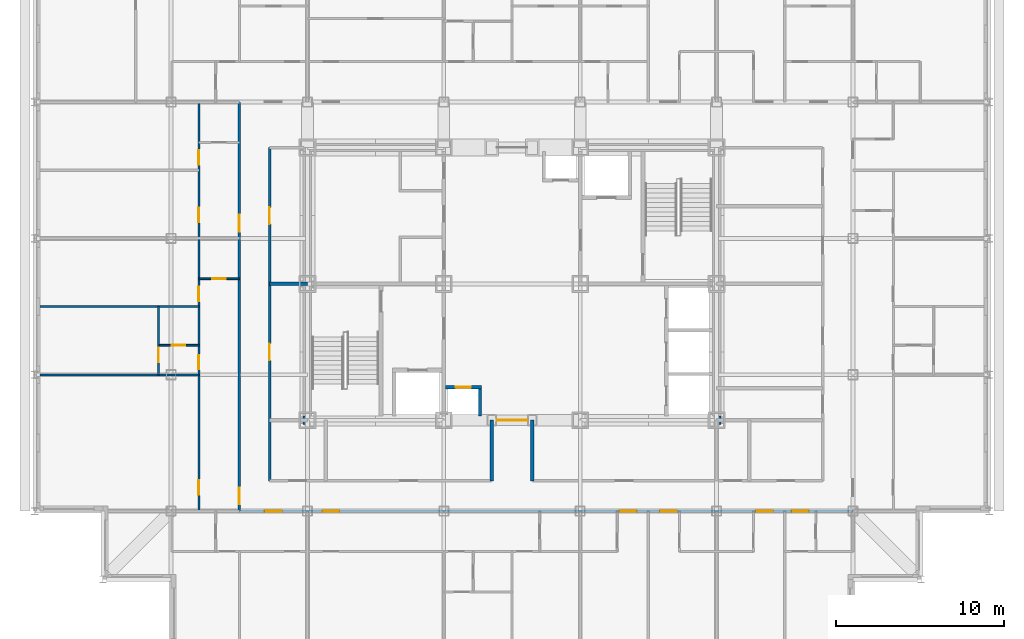
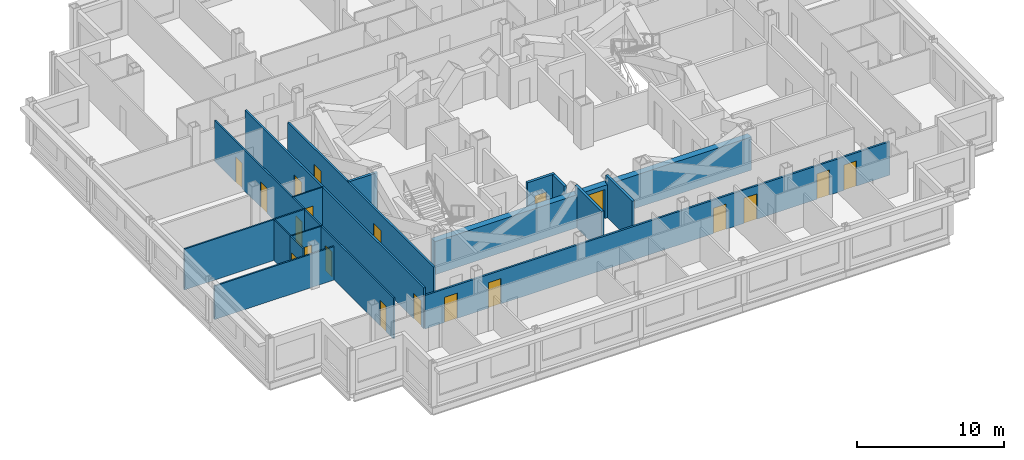
# One storey, part 5 of 12: 20 doors, 16 walls, 20 openings.
"""IFC4 building model written with IfcOpenShell, lengths in metres."""

from ifc_helpers import new_model, si_unit, direction, frame, frame_2d, origin, place, context, subcontext, project, spatial, rectangle, extrude, material, layer, layer_set, type_object, element, fill, save


model = new_model("IFC4")

# Units and contexts
model_context = context("Model", 3, precision=1e-05, world=origin(), true_north=direction((0.0, 1.0)))
body_context = subcontext(model_context, "Body", "Model", "MODEL_VIEW")
ifc_project = project(units=[si_unit("LENGTHUNIT", "METRE"), si_unit("AREAUNIT", "SQUARE_METRE"), si_unit("VOLUMEUNIT", "CUBIC_METRE"), si_unit("PLANEANGLEUNIT", "RADIAN"), si_unit("MASSUNIT", "GRAM", prefix="KILO")], contexts=[model_context])

# Site, building, storey
site_placement = place(None, origin())
site = spatial("IfcSite", under=ifc_project, at=site_placement, CompositionType="ELEMENT")
building_placement = place(site_placement, origin())
building = spatial("IfcBuilding", under=site, at=building_placement, Name="Kopane Lantern Tower", CompositionType="ELEMENT")
storey_placement = place(building_placement, frame((0.0, 0.0, 213.60009765625)))
storey = spatial("IfcBuildingStorey", under=building, at=storey_placement, Name="L55", CompositionType="ELEMENT", Elevation=213.60009765625)

# Wall, openings, doors
ifc_material_1 = material(Name="Gypsum board on steel studs", Category="steel")
ifc_layer_1 = layer(ifc_material_1, 0.1201171875)
ifc_layer_set_1 = layer_set([ifc_layer_1], Name="APARTMENT INTERNAL WALL 120")
wall_type_1 = type_object("IfcWallType", Name="APARTMENT INTERNAL WALL 120", PredefinedType="PARTITIONING", material=ifc_layer_set_1)
wall_1_placement = place(storey_placement, frame((9.75, 18.89990234375, 0.0), z_axis=(0.0, 0.0, 1.0), x_axis=(0.0, 1.0, 0.0)))
wall_1 = element("IfcWall", 1, at=wall_1_placement, inside=storey, type_object=wall_type_1, Name="Apartment Internal Wall 120 L55", PredefinedType="PARTITIONING", context=body_context, shape_type="SweptSolid", body=[
    extrude(rectangle(XDim=24.300048828125, YDim=0.1201171875, at=frame_2d((12.14990234375, 0.0))), origin(), (0.0, 0.0, 1.0), 3.389892578125),
])
opening_1_placement = place(wall_1_placement, frame((0.97509765625, 0.0, 0.0)))
opening_1 = element("IfcOpeningElement", 2, at=opening_1_placement, cuts=wall_1, Name="Opening L55-037", PredefinedType="OPENING", context=body_context, shape_type="SweptSolid", body=[
    extrude(rectangle(XDim=0.85009765625, YDim=2.10009765625, at=frame_2d((0.425048828125, 1.050048828125))), frame((0.0, 0.070068359375, 0.0), z_axis=(0.0, -1.0, 0.0), x_axis=(1.0, 0.0, 0.0)), (0.0, 0.0, 1.0), 0.14013671875),
])
opening_2_placement = place(wall_1_placement, frame((8.425048828125, 0.0, 0.0)))
opening_2 = element("IfcOpeningElement", 3, at=opening_2_placement, cuts=wall_1, Name="Opening L55-039", PredefinedType="OPENING", context=body_context, shape_type="SweptSolid", body=[
    extrude(rectangle(XDim=0.85009765625, YDim=2.10009765625, at=frame_2d((0.425048828125, 1.050048828125))), frame((0.0, 0.070068359375, 0.0), z_axis=(0.0, -1.0, 0.0), x_axis=(1.0, 0.0, 0.0)), (0.0, 0.0, 1.0), 0.14013671875),
])
opening_3_placement = place(wall_1_placement, frame((12.47509765625, 0.0, 0.0)))
opening_3 = element("IfcOpeningElement", 4, at=opening_3_placement, cuts=wall_1, Name="Opening L55-040", PredefinedType="OPENING", context=body_context, shape_type="SweptSolid", body=[
    extrude(rectangle(XDim=0.85009765625, YDim=2.10009765625, at=frame_2d((0.425048828125, 1.050048828125))), frame((0.0, 0.070068359375, 0.0), z_axis=(0.0, -1.0, 0.0), x_axis=(1.0, 0.0, 0.0)), (0.0, 0.0, 1.0), 0.14013671875),
])
opening_4_placement = place(wall_1_placement, frame((17.175048828125, 0.0, 0.0)))
opening_4 = element("IfcOpeningElement", 5, at=opening_4_placement, cuts=wall_1, Name="Opening L55-043", PredefinedType="OPENING", context=body_context, shape_type="SweptSolid", body=[
    extrude(rectangle(XDim=0.85009765625, YDim=2.10009765625, at=frame_2d((0.425048828125, 1.050048828125))), frame((0.0, 0.070068359375, 0.0), z_axis=(0.0, -1.0, 0.0), x_axis=(1.0, 0.0, 0.0)), (0.0, 0.0, 1.0), 0.14013671875),
])
opening_5_placement = place(wall_1_placement, frame((20.574951171875, 0.0, 0.0)))
opening_5 = element("IfcOpeningElement", 6, at=opening_5_placement, cuts=wall_1, Name="Opening L55-044", PredefinedType="OPENING", context=body_context, shape_type="SweptSolid", body=[
    extrude(rectangle(XDim=0.85009765625, YDim=2.10009765625, at=frame_2d((0.425048828125, 1.050048828125))), frame((0.0, 0.070068359375, 0.0), z_axis=(0.0, -1.0, 0.0), x_axis=(1.0, 0.0, 0.0)), (0.0, 0.0, 1.0), 0.14013671875),
])
ifc_material_2 = material(Name="Timber door set", Category="wood")
door_type_1 = type_object("IfcDoorType", Name="DOOR D4 850x2100", OperationType="SINGLE_SWING_LEFT", PredefinedType="DOOR", material=ifc_material_2)
door_1_placement = place(opening_1_placement, origin())
door_1 = element("IfcDoor", 7, at=door_1_placement, inside=storey, type_object=door_type_1, Name="Door L55-037", OperationType="SINGLE_SWING_RIGHT", OverallHeight=2.10009765625, OverallWidth=0.85009765625, PredefinedType="DOOR", context=body_context, shape_type="SweptSolid", body=[
    extrude(rectangle(XDim=0.85009765625, YDim=2.10009765625, at=frame_2d((0.425048828125, 1.050048828125))), frame((0.0, 0.02490234375, 0.0), z_axis=(0.0, -1.0, 0.0), x_axis=(1.0, 0.0, 0.0)), (0.0, 0.0, 1.0), 0.050048828125),
])
fill(opening_1, door_1)
door_2_placement = place(opening_2_placement, origin())
door_2 = element("IfcDoor", 8, at=door_2_placement, inside=storey, type_object=door_type_1, Name="Door L55-039", OperationType="SINGLE_SWING_LEFT", OverallHeight=2.10009765625, OverallWidth=0.85009765625, PredefinedType="DOOR", context=body_context, shape_type="SweptSolid", body=[
    extrude(rectangle(XDim=0.85009765625, YDim=2.10009765625, at=frame_2d((0.425048828125, 1.050048828125))), frame((0.0, 0.02490234375, 0.0), z_axis=(0.0, -1.0, 0.0), x_axis=(1.0, 0.0, 0.0)), (0.0, 0.0, 1.0), 0.050048828125),
])
fill(opening_2, door_2)
door_3_placement = place(opening_3_placement, origin())
door_3 = element("IfcDoor", 9, at=door_3_placement, inside=storey, type_object=door_type_1, Name="Door L55-040", OperationType="SINGLE_SWING_LEFT", OverallHeight=2.10009765625, OverallWidth=0.85009765625, PredefinedType="DOOR", context=body_context, shape_type="SweptSolid", body=[
    extrude(rectangle(XDim=0.85009765625, YDim=2.10009765625, at=frame_2d((0.425048828125, 1.050048828125))), frame((0.0, 0.02490234375, 0.0), z_axis=(0.0, -1.0, 0.0), x_axis=(1.0, 0.0, 0.0)), (0.0, 0.0, 1.0), 0.050048828125),
])
fill(opening_3, door_3)
door_4_placement = place(opening_4_placement, origin())
door_4 = element("IfcDoor", 10, at=door_4_placement, inside=storey, type_object=door_type_1, Name="Door L55-043", OperationType="SINGLE_SWING_RIGHT", OverallHeight=2.10009765625, OverallWidth=0.85009765625, PredefinedType="DOOR", context=body_context, shape_type="SweptSolid", body=[
    extrude(rectangle(XDim=0.85009765625, YDim=2.10009765625, at=frame_2d((0.425048828125, 1.050048828125))), frame((0.0, 0.02490234375, 0.0), z_axis=(0.0, -1.0, 0.0), x_axis=(1.0, 0.0, 0.0)), (0.0, 0.0, 1.0), 0.050048828125),
])
fill(opening_4, door_4)
door_5_placement = place(opening_5_placement, origin())
door_5 = element("IfcDoor", 11, at=door_5_placement, inside=storey, type_object=door_type_1, Name="Door L55-044", OperationType="SINGLE_SWING_LEFT", OverallHeight=2.10009765625, OverallWidth=0.85009765625, PredefinedType="DOOR", context=body_context, shape_type="SweptSolid", body=[
    extrude(rectangle(XDim=0.85009765625, YDim=2.10009765625, at=frame_2d((0.425048828125, 1.050048828125))), frame((0.0, 0.02490234375, 0.0), z_axis=(0.0, -1.0, 0.0), x_axis=(1.0, 0.0, 0.0)), (0.0, 0.0, 1.0), 0.050048828125),
])
fill(opening_5, door_5)

# Walls
wall_2_placement = place(storey_placement, frame((9.75, 27.0, 0.0), z_axis=(0.0, 0.0, 1.0), x_axis=(-1.0, 0.0, 0.0)))
element("IfcWall", 12, at=wall_2_placement, inside=storey, type_object=wall_type_1, Name="Apartment Internal Wall 120 L55", PredefinedType="PARTITIONING", context=body_context, shape_type="SweptSolid", body=[
    extrude(rectangle(XDim=9.449951171875, YDim=0.1201171875, at=frame_2d((4.72509765625, 0.0))), origin(), (0.0, 0.0, 1.0), 2.777587890625),
])
wall_3_placement = place(storey_placement, frame((9.75, 31.050048828125, 0.0), z_axis=(0.0, 0.0, 1.0), x_axis=(-1.0, 0.0, 0.0)))
element("IfcWall", 13, at=wall_3_placement, inside=storey, type_object=wall_type_1, Name="Apartment Internal Wall 120 L55", PredefinedType="PARTITIONING", context=body_context, shape_type="SweptSolid", body=[
    extrude(rectangle(XDim=9.449951171875, YDim=0.1201171875, at=frame_2d((4.72509765625, 0.0))), origin(), (0.0, 0.0, 1.0), 3.389892578125),
])

# Wall, opening, door
wall_4_placement = place(storey_placement, frame((7.35009765625, 27.0, 0.0), z_axis=(0.0, 0.0, 1.0), x_axis=(0.0, 1.0, 0.0)))
wall_4 = element("IfcWall", 14, at=wall_4_placement, inside=storey, type_object=wall_type_1, Name="Apartment Internal Wall 120 L55", PredefinedType="PARTITIONING", context=body_context, shape_type="SweptSolid", body=[
    extrude(rectangle(XDim=1.760009765625, YDim=0.1201171875, at=frame_2d((0.8798828125, 0.0))), origin(), (0.0, 0.0, 1.0), 3.389892578125),
])
opening_6_placement = place(wall_4_placement, frame((0.75, 0.0, 0.0)))
opening_6 = element("IfcOpeningElement", 15, at=opening_6_placement, cuts=wall_4, Name="Opening L55-071", PredefinedType="OPENING", context=body_context, shape_type="SweptSolid", body=[
    extrude(rectangle(XDim=0.85009765625, YDim=2.10009765625, at=frame_2d((0.425048828125, 1.050048828125))), frame((0.0, 0.070068359375, 0.0), z_axis=(0.0, -1.0, 0.0), x_axis=(1.0, 0.0, 0.0)), (0.0, 0.0, 1.0), 0.14013671875),
])
door_6_placement = place(opening_6_placement, origin())
door_6 = element("IfcDoor", 16, at=door_6_placement, inside=storey, type_object=door_type_1, Name="Door L55-071", OperationType="SINGLE_SWING_LEFT", OverallHeight=2.10009765625, OverallWidth=0.85009765625, PredefinedType="DOOR", context=body_context, shape_type="SweptSolid", body=[
    extrude(rectangle(XDim=0.85009765625, YDim=2.10009765625, at=frame_2d((0.425048828125, 1.050048828125))), frame((0.0, 0.02490234375, 0.0), z_axis=(0.0, -1.0, 0.0), x_axis=(1.0, 0.0, 0.0)), (0.0, 0.0, 1.0), 0.050048828125),
])
fill(opening_6, door_6)

ifc_material_3 = material(Name="Moisture-resistant board on steel studs", Category="steel")
ifc_layer_2 = layer(ifc_material_3, 0.10009765625)
ifc_layer_set_2 = layer_set([ifc_layer_2], Name="BATHROOM WALL 100")
wall_type_2 = type_object("IfcWallType", Name="BATHROOM WALL 100", PredefinedType="PARTITIONING", material=ifc_layer_set_2)
wall_5_placement = place(storey_placement, frame((12.14990234375, 32.699951171875, 0.0), z_axis=(0.0, 0.0, 1.0), x_axis=(-1.0, 0.0, 0.0)))
wall_5 = element("IfcWall", 17, at=wall_5_placement, inside=storey, type_object=wall_type_2, Name="Bathroom Wall 100 L55", PredefinedType="PARTITIONING", context=body_context, shape_type="SweptSolid", body=[
    extrude(rectangle(XDim=2.39990234375, YDim=0.10009765625, at=frame_2d((1.199951171875, 0.0))), origin(), (0.0, 0.0, 1.0), 3.389892578125),
])
opening_7_placement = place(wall_5_placement, frame((0.800048828125, 0.0, 0.0)))
opening_7 = element("IfcOpeningElement", 18, at=opening_7_placement, cuts=wall_5, Name="Opening L55-035", PredefinedType="OPENING", context=body_context, shape_type="SweptSolid", body=[
    extrude(rectangle(XDim=0.800048828125, YDim=2.10009765625, at=frame_2d((0.39990234375, 1.050048828125))), frame((0.0, 0.06005859375, 0.0), z_axis=(0.0, -1.0, 0.0), x_axis=(1.0, 0.0, 0.0)), (0.0, 0.0, 1.0), 0.1201171875),
])
ifc_material_4 = material(Name="Timber door set", Category="wood")
door_type_2 = type_object("IfcDoorType", Name="DOOR D2 800x2100", OperationType="SINGLE_SWING_LEFT", PredefinedType="DOOR", material=ifc_material_4)
door_7_placement = place(opening_7_placement, origin())
door_7 = element("IfcDoor", 19, at=door_7_placement, inside=storey, type_object=door_type_2, Name="Door L55-035", OperationType="SINGLE_SWING_RIGHT", OverallHeight=2.10009765625, OverallWidth=0.800048828125, PredefinedType="DOOR", context=body_context, shape_type="SweptSolid", body=[
    extrude(rectangle(XDim=0.800048828125, YDim=2.10009765625, at=frame_2d((0.39990234375, 1.050048828125))), frame((0.0, 0.02490234375, 0.0), z_axis=(0.0, -1.0, 0.0), x_axis=(1.0, 0.0, 0.0)), (0.0, 0.0, 1.0), 0.050048828125),
])
fill(opening_7, door_7)

wall_6_placement = place(storey_placement, frame((9.75, 28.75, 0.0), z_axis=(0.0, 0.0, 1.0), x_axis=(-1.0, 0.0, 0.0)))
wall_6 = element("IfcWall", 20, at=wall_6_placement, inside=storey, type_object=wall_type_2, Name="Bathroom Wall 100 L55", PredefinedType="PARTITIONING", context=body_context, shape_type="SweptSolid", body=[
    extrude(rectangle(XDim=2.39990234375, YDim=0.10009765625, at=frame_2d((1.199951171875, 0.0))), origin(), (0.0, 0.0, 1.0), 3.389892578125),
])
opening_8_placement = place(wall_6_placement, frame((0.800048828125, 0.0, 0.0)))
opening_8 = element("IfcOpeningElement", 21, at=opening_8_placement, cuts=wall_6, Name="Opening L55-038", PredefinedType="OPENING", context=body_context, shape_type="SweptSolid", body=[
    extrude(rectangle(XDim=0.800048828125, YDim=2.10009765625, at=frame_2d((0.39990234375, 1.050048828125))), frame((0.0, 0.06005859375, 0.0), z_axis=(0.0, -1.0, 0.0), x_axis=(1.0, 0.0, 0.0)), (0.0, 0.0, 1.0), 0.1201171875),
])
door_8_placement = place(opening_8_placement, origin())
door_8 = element("IfcDoor", 22, at=door_8_placement, inside=storey, type_object=door_type_2, Name="Door L55-038", OperationType="SINGLE_SWING_RIGHT", OverallHeight=2.10009765625, OverallWidth=0.800048828125, PredefinedType="DOOR", context=body_context, shape_type="SweptSolid", body=[
    extrude(rectangle(XDim=0.800048828125, YDim=2.10009765625, at=frame_2d((0.39990234375, 1.050048828125))), frame((0.0, 0.02490234375, 0.0), z_axis=(0.0, -1.0, 0.0), x_axis=(1.0, 0.0, 0.0)), (0.0, 0.0, 1.0), 0.050048828125),
])
fill(opening_8, door_8)

# Wall
wall_7_placement = place(storey_placement, frame((7.35009765625, 28.75, 0.0), z_axis=(0.0, 0.0, 1.0), x_axis=(0.0, 1.0, 0.0)))
element("IfcWall", 23, at=wall_7_placement, inside=storey, type_object=wall_type_2, Name="Bathroom Wall 100 L55", PredefinedType="PARTITIONING", context=body_context, shape_type="SweptSolid", body=[
    extrude(rectangle(XDim=2.300048828125, YDim=0.10009765625, at=frame_2d((1.14990234375, 0.0))), origin(), (0.0, 0.0, 1.0), 3.389892578125),
])

# Wall, opening, door
ifc_material_5 = material(Name="Gypsum shaft wall EI 120", Category="gypsum")
ifc_layer_3 = layer(ifc_material_5, 0.5)
ifc_layer_set_3 = layer_set([ifc_layer_3], Name="CORE PERIMETER WALL 500 EI 120")
wall_type_3 = type_object("IfcWallType", Name="CORE PERIMETER WALL 500 EI 120", PredefinedType="SOLIDWALL", material=ifc_layer_set_3)
wall_8_placement = place(storey_placement, frame((15.949951171875, 24.300048828125, 0.0), z_axis=(0.0, 0.0, 1.0), x_axis=(1.0, 0.0, 0.0)))
wall_8 = element("IfcWall", 24, at=wall_8_placement, inside=storey, type_object=wall_type_3, Name="Core shaft wall L55 PS", PredefinedType="SOLIDWALL", context=body_context, shape_type="SweptSolid", body=[
    extrude(rectangle(XDim=24.800048828125, YDim=0.5, at=frame_2d((12.39990234375, 0.0))), origin(), (0.0, 0.0, 1.0), 2.739990234375),
])
opening_9_placement = place(wall_8_placement, frame((11.5, 0.0, 0.0)))
opening_9 = element("IfcOpeningElement", 25, at=opening_9_placement, cuts=wall_8, Name="Opening 55.CE-S", PredefinedType="OPENING", context=body_context, shape_type="SweptSolid", body=[
    extrude(rectangle(XDim=1.800048828125, YDim=2.39990234375, at=frame_2d((0.89990234375, 1.199951171875))), frame((0.0, 0.260009765625, 0.0), z_axis=(0.0, -1.0, 0.0), x_axis=(1.0, 0.0, 0.0)), (0.0, 0.0, 1.0), 0.52001953125),
])
ifc_material_6 = material(Name="Steel door set", Category="steel")
door_type_3 = type_object("IfcDoorType", Name="CORE ENTRY DOOR 1800x2400 FD60S", OperationType="DOUBLE_DOOR_SINGLE_SWING", PredefinedType="DOOR", material=ifc_material_6)
door_9_placement = place(opening_9_placement, origin())
door_9 = element("IfcDoor", 26, at=door_9_placement, inside=storey, type_object=door_type_3, Name="Core entry door L55 south", OperationType="DOUBLE_DOOR_SINGLE_SWING", OverallHeight=2.39990234375, OverallWidth=1.800048828125, PredefinedType="DOOR", context=body_context, shape_type="SweptSolid", body=[
    extrude(rectangle(XDim=1.800048828125, YDim=2.39990234375, at=frame_2d((0.89990234375, 1.199951171875))), frame((0.0, 0.02490234375, 0.0), z_axis=(0.0, -1.0, 0.0), x_axis=(1.0, 0.0, 0.0)), (0.0, 0.0, 1.0), 0.050048828125),
])
fill(opening_9, door_9)

# Wall, openings, doors
ifc_material_7 = material(Name="Gypsum board on steel studs", Category="steel")
ifc_layer_4 = layer(ifc_material_7, 0.14990234375)
ifc_layer_set_4 = layer_set([ifc_layer_4], Name="CORRIDOR WALL 150 EI 60")
wall_type_4 = type_object("IfcWallType", Name="CORRIDOR WALL 150 EI 60", PredefinedType="PARTITIONING", material=ifc_layer_set_4)
wall_9_placement = place(storey_placement, frame((12.14990234375, 18.89990234375, 0.0), z_axis=(0.0, 0.0, 1.0), x_axis=(1.0, 0.0, 0.0)))
wall_9 = element("IfcWall", 27, at=wall_9_placement, inside=storey, type_object=wall_type_4, Name="Corridor Wall 150 Ei 60 L55", PredefinedType="PARTITIONING", context=body_context, shape_type="SweptSolid", body=[
    extrude(rectangle(XDim=36.4501953125, YDim=0.14990234375, at=frame_2d((18.22509765625, 0.0))), origin(), (0.0, 0.0, 1.0), 2.777587890625),
])
opening_10_placement = place(wall_9_placement, frame((4.949951171875, 0.0, 0.0)))
opening_10 = element("IfcOpeningElement", 28, at=opening_10_placement, cuts=wall_9, Name="Opening L55-013", PredefinedType="OPENING", context=body_context, shape_type="SweptSolid", body=[
    extrude(rectangle(XDim=1.0, YDim=2.10009765625, at=frame_2d((0.5, 1.050048828125))), frame((0.0, 0.0849609375, 0.0), z_axis=(0.0, -1.0, 0.0), x_axis=(1.0, 0.0, 0.0)), (0.0, 0.0, 1.0), 0.169921875),
])
opening_11_placement = place(wall_9_placement, frame((22.60009765625, 0.0, 0.0)))
opening_11 = element("IfcOpeningElement", 29, at=opening_11_placement, cuts=wall_9, Name="Opening L55-019", PredefinedType="OPENING", context=body_context, shape_type="SweptSolid", body=[
    extrude(rectangle(XDim=1.0, YDim=2.10009765625, at=frame_2d((0.5, 1.050048828125))), frame((0.0, 0.0849609375, 0.0), z_axis=(0.0, -1.0, 0.0), x_axis=(1.0, 0.0, 0.0)), (0.0, 0.0, 1.0), 0.169921875),
])
opening_12_placement = place(wall_9_placement, frame((25.0, 0.0, 0.0)))
opening_12 = element("IfcOpeningElement", 30, at=opening_12_placement, cuts=wall_9, Name="Opening L55-021", PredefinedType="OPENING", context=body_context, shape_type="SweptSolid", body=[
    extrude(rectangle(XDim=1.0, YDim=2.10009765625, at=frame_2d((0.5, 1.050048828125))), frame((0.0, 0.0849609375, 0.0), z_axis=(0.0, -1.0, 0.0), x_axis=(1.0, 0.0, 0.0)), (0.0, 0.0, 1.0), 0.169921875),
])
opening_13_placement = place(wall_9_placement, frame((30.699951171875, 0.0, 0.0)))
opening_13 = element("IfcOpeningElement", 31, at=opening_13_placement, cuts=wall_9, Name="Opening L55-023", PredefinedType="OPENING", context=body_context, shape_type="SweptSolid", body=[
    extrude(rectangle(XDim=1.0, YDim=2.10009765625, at=frame_2d((0.5, 1.050048828125))), frame((0.0, 0.0849609375, 0.0), z_axis=(0.0, -1.0, 0.0), x_axis=(1.0, 0.0, 0.0)), (0.0, 0.0, 1.0), 0.169921875),
])
opening_14_placement = place(wall_9_placement, frame((1.52490234375, 0.0, 0.0)))
opening_14 = element("IfcOpeningElement", 32, at=opening_14_placement, cuts=wall_9, Name="Opening L55-054", PredefinedType="OPENING", context=body_context, shape_type="SweptSolid", body=[
    extrude(rectangle(XDim=1.0, YDim=2.10009765625, at=frame_2d((0.5, 1.050048828125))), frame((0.0, 0.0849609375, 0.0), z_axis=(0.0, -1.0, 0.0), x_axis=(1.0, 0.0, 0.0)), (0.0, 0.0, 1.0), 0.169921875),
])
opening_15_placement = place(wall_9_placement, frame((32.824951171875, 0.0, 0.0)))
opening_15 = element("IfcOpeningElement", 33, at=opening_15_placement, cuts=wall_9, Name="Opening L55-059", PredefinedType="OPENING", context=body_context, shape_type="SweptSolid", body=[
    extrude(rectangle(XDim=1.0, YDim=2.10009765625, at=frame_2d((0.5, 1.050048828125))), frame((0.0, 0.0849609375, 0.0), z_axis=(0.0, -1.0, 0.0), x_axis=(1.0, 0.0, 0.0)), (0.0, 0.0, 1.0), 0.169921875),
])
ifc_material_8 = material(Name="Steel door set", Category="steel")
door_type_4 = type_object("IfcDoorType", Name="DOOR D3 1000x2100 FD30S", OperationType="SINGLE_SWING_LEFT", PredefinedType="DOOR", material=ifc_material_8)
door_10_placement = place(opening_10_placement, origin())
door_10 = element("IfcDoor", 34, at=door_10_placement, inside=storey, type_object=door_type_4, Name="Door L55-013", OperationType="SINGLE_SWING_RIGHT", OverallHeight=2.10009765625, OverallWidth=1.0, PredefinedType="DOOR", context=body_context, shape_type="SweptSolid", body=[
    extrude(rectangle(XDim=1.0, YDim=2.10009765625, at=frame_2d((0.5, 1.050048828125))), frame((0.0, 0.02490234375, 0.0), z_axis=(0.0, -1.0, 0.0), x_axis=(1.0, 0.0, 0.0)), (0.0, 0.0, 1.0), 0.050048828125),
])
fill(opening_10, door_10)
door_11_placement = place(opening_11_placement, origin())
door_11 = element("IfcDoor", 35, at=door_11_placement, inside=storey, type_object=door_type_4, Name="Door L55-019", OperationType="SINGLE_SWING_RIGHT", OverallHeight=2.10009765625, OverallWidth=1.0, PredefinedType="DOOR", context=body_context, shape_type="SweptSolid", body=[
    extrude(rectangle(XDim=1.0, YDim=2.10009765625, at=frame_2d((0.5, 1.050048828125))), frame((0.0, 0.02490234375, 0.0), z_axis=(0.0, -1.0, 0.0), x_axis=(1.0, 0.0, 0.0)), (0.0, 0.0, 1.0), 0.050048828125),
])
fill(opening_11, door_11)
door_12_placement = place(opening_12_placement, origin())
door_12 = element("IfcDoor", 36, at=door_12_placement, inside=storey, type_object=door_type_4, Name="Door L55-021", OperationType="SINGLE_SWING_LEFT", OverallHeight=2.10009765625, OverallWidth=1.0, PredefinedType="DOOR", context=body_context, shape_type="SweptSolid", body=[
    extrude(rectangle(XDim=1.0, YDim=2.10009765625, at=frame_2d((0.5, 1.050048828125))), frame((0.0, 0.02490234375, 0.0), z_axis=(0.0, -1.0, 0.0), x_axis=(1.0, 0.0, 0.0)), (0.0, 0.0, 1.0), 0.050048828125),
])
fill(opening_12, door_12)
door_13_placement = place(opening_13_placement, origin())
door_13 = element("IfcDoor", 37, at=door_13_placement, inside=storey, type_object=door_type_4, Name="Door L55-023", OperationType="SINGLE_SWING_RIGHT", OverallHeight=2.10009765625, OverallWidth=1.0, PredefinedType="DOOR", context=body_context, shape_type="SweptSolid", body=[
    extrude(rectangle(XDim=1.0, YDim=2.10009765625, at=frame_2d((0.5, 1.050048828125))), frame((0.0, 0.02490234375, 0.0), z_axis=(0.0, -1.0, 0.0), x_axis=(1.0, 0.0, 0.0)), (0.0, 0.0, 1.0), 0.050048828125),
])
fill(opening_13, door_13)
door_14_placement = place(opening_14_placement, origin())
door_14 = element("IfcDoor", 38, at=door_14_placement, inside=storey, type_object=door_type_4, Name="Door L55-054", OperationType="SINGLE_SWING_LEFT", OverallHeight=2.10009765625, OverallWidth=1.0, PredefinedType="DOOR", context=body_context, shape_type="SweptSolid", body=[
    extrude(rectangle(XDim=1.0, YDim=2.10009765625, at=frame_2d((0.5, 1.050048828125))), frame((0.0, 0.02490234375, 0.0), z_axis=(0.0, -1.0, 0.0), x_axis=(1.0, 0.0, 0.0)), (0.0, 0.0, 1.0), 0.050048828125),
])
fill(opening_14, door_14)
door_15_placement = place(opening_15_placement, origin())
door_15 = element("IfcDoor", 39, at=door_15_placement, inside=storey, type_object=door_type_4, Name="Door L55-059", OperationType="SINGLE_SWING_LEFT", OverallHeight=2.10009765625, OverallWidth=1.0, PredefinedType="DOOR", context=body_context, shape_type="SweptSolid", body=[
    extrude(rectangle(XDim=1.0, YDim=2.10009765625, at=frame_2d((0.5, 1.050048828125))), frame((0.0, 0.02490234375, 0.0), z_axis=(0.0, -1.0, 0.0), x_axis=(1.0, 0.0, 0.0)), (0.0, 0.0, 1.0), 0.050048828125),
])
fill(opening_15, door_15)

wall_10_placement = place(storey_placement, frame((12.14990234375, 18.89990234375, 0.0), z_axis=(0.0, 0.0, 1.0), x_axis=(0.0, 1.0, 0.0)))
wall_10 = element("IfcWall", 40, at=wall_10_placement, inside=storey, type_object=wall_type_4, Name="Corridor Wall 150 Ei 60 L55", PredefinedType="PARTITIONING", context=body_context, shape_type="SweptSolid", body=[
    extrude(rectangle(XDim=24.300048828125, YDim=0.14990234375, at=frame_2d((12.14990234375, 0.0))), origin(), (0.0, 0.0, 1.0), 3.389892578125),
])
opening_16_placement = place(wall_10_placement, frame((0.39990234375, 0.0, 0.0)))
opening_16 = element("IfcOpeningElement", 41, at=opening_16_placement, cuts=wall_10, Name="Opening L55-036", PredefinedType="OPENING", context=body_context, shape_type="SweptSolid", body=[
    extrude(rectangle(XDim=1.0, YDim=2.10009765625, at=frame_2d((0.5, 1.050048828125))), frame((0.0, 0.0849609375, 0.0), z_axis=(0.0, -1.0, 0.0), x_axis=(1.0, 0.0, 0.0)), (0.0, 0.0, 1.0), 0.169921875),
])
opening_17_placement = place(wall_10_placement, frame((16.60009765625, 0.0, 0.0)))
opening_17 = element("IfcOpeningElement", 42, at=opening_17_placement, cuts=wall_10, Name="Opening L55-042", PredefinedType="OPENING", context=body_context, shape_type="SweptSolid", body=[
    extrude(rectangle(XDim=1.0, YDim=2.10009765625, at=frame_2d((0.5, 1.050048828125))), frame((0.0, 0.0849609375, 0.0), z_axis=(0.0, -1.0, 0.0), x_axis=(1.0, 0.0, 0.0)), (0.0, 0.0, 1.0), 0.169921875),
])
door_16_placement = place(opening_16_placement, origin())
door_16 = element("IfcDoor", 43, at=door_16_placement, inside=storey, type_object=door_type_4, Name="Door L55-036", OperationType="SINGLE_SWING_LEFT", OverallHeight=2.10009765625, OverallWidth=1.0, PredefinedType="DOOR", context=body_context, shape_type="SweptSolid", body=[
    extrude(rectangle(XDim=1.0, YDim=2.10009765625, at=frame_2d((0.5, 1.050048828125))), frame((0.0, 0.02490234375, 0.0), z_axis=(0.0, -1.0, 0.0), x_axis=(1.0, 0.0, 0.0)), (0.0, 0.0, 1.0), 0.050048828125),
])
fill(opening_16, door_16)
door_17_placement = place(opening_17_placement, origin())
door_17 = element("IfcDoor", 44, at=door_17_placement, inside=storey, type_object=door_type_4, Name="Door L55-042", OperationType="SINGLE_SWING_LEFT", OverallHeight=2.10009765625, OverallWidth=1.0, PredefinedType="DOOR", context=body_context, shape_type="SweptSolid", body=[
    extrude(rectangle(XDim=1.0, YDim=2.10009765625, at=frame_2d((0.5, 1.050048828125))), frame((0.0, 0.02490234375, 0.0), z_axis=(0.0, -1.0, 0.0), x_axis=(1.0, 0.0, 0.0)), (0.0, 0.0, 1.0), 0.050048828125),
])
fill(opening_17, door_17)

wall_11_placement = place(storey_placement, frame((13.949951171875, 40.5, 0.0), z_axis=(0.0, 0.0, 1.0), x_axis=(0.0, -1.0, 0.0)))
wall_11 = element("IfcWall", 45, at=wall_11_placement, inside=storey, type_object=wall_type_4, Name="Corridor Wall 150 Ei 60 L55", PredefinedType="PARTITIONING", context=body_context, shape_type="SweptSolid", body=[
    extrude(rectangle(XDim=19.800048828125, YDim=0.14990234375, at=frame_2d((9.89990234375, 0.0))), origin(), (0.0, 0.0, 1.0), 3.389892578125),
])
opening_18_placement = place(wall_11_placement, frame((11.64990234375, 0.0, 0.0)))
opening_18 = element("IfcOpeningElement", 46, at=opening_18_placement, cuts=wall_11, Name="Opening L55-001", PredefinedType="OPENING", context=body_context, shape_type="SweptSolid", body=[
    extrude(rectangle(XDim=1.0, YDim=2.10009765625, at=frame_2d((0.5, 1.050048828125))), frame((0.0, 0.0849609375, 0.0), z_axis=(0.0, -1.0, 0.0), x_axis=(1.0, 0.0, 0.0)), (0.0, 0.0, 1.0), 0.169921875),
])
opening_19_placement = place(wall_11_placement, frame((3.550048828125, 0.0, 0.0)))
opening_19 = element("IfcOpeningElement", 47, at=opening_19_placement, cuts=wall_11, Name="Opening L55-002", PredefinedType="OPENING", context=body_context, shape_type="SweptSolid", body=[
    extrude(rectangle(XDim=1.0, YDim=2.10009765625, at=frame_2d((0.5, 1.050048828125))), frame((0.0, 0.0849609375, 0.0), z_axis=(0.0, -1.0, 0.0), x_axis=(1.0, 0.0, 0.0)), (0.0, 0.0, 1.0), 0.169921875),
])
ifc_material_9 = material(Name="Steel door set", Category="steel")
door_type_5 = type_object("IfcDoorType", Name="DOOR D5 1000x2100 FD60", OperationType="SINGLE_SWING_LEFT", PredefinedType="DOOR", material=ifc_material_9)
door_18_placement = place(opening_18_placement, origin())
door_18 = element("IfcDoor", 48, at=door_18_placement, inside=storey, type_object=door_type_5, Name="Door L55-001", OperationType="SINGLE_SWING_RIGHT", OverallHeight=2.10009765625, OverallWidth=1.0, PredefinedType="DOOR", context=body_context, shape_type="SweptSolid", body=[
    extrude(rectangle(XDim=1.0, YDim=2.10009765625, at=frame_2d((0.5, 1.050048828125))), frame((0.0, 0.02490234375, 0.0), z_axis=(0.0, -1.0, 0.0), x_axis=(1.0, 0.0, 0.0)), (0.0, 0.0, 1.0), 0.050048828125),
])
fill(opening_18, door_18)
door_19_placement = place(opening_19_placement, origin())
door_19 = element("IfcDoor", 49, at=door_19_placement, inside=storey, type_object=door_type_5, Name="Door L55-002", OperationType="SINGLE_SWING_LEFT", OverallHeight=2.10009765625, OverallWidth=1.0, PredefinedType="DOOR", context=body_context, shape_type="SweptSolid", body=[
    extrude(rectangle(XDim=1.0, YDim=2.10009765625, at=frame_2d((0.5, 1.050048828125))), frame((0.0, 0.02490234375, 0.0), z_axis=(0.0, -1.0, 0.0), x_axis=(1.0, 0.0, 0.0)), (0.0, 0.0, 1.0), 0.050048828125),
])
fill(opening_19, door_19)

# Walls
ifc_material_10 = material(Name="Concrete masonry", Category="masonry")
ifc_layer_5 = layer(ifc_material_10, 0.199951171875)
ifc_layer_set_5 = layer_set([ifc_layer_5], Name="PLANT ROOM WALL 200 EI 120")
wall_type_5 = type_object("IfcWallType", Name="PLANT ROOM WALL 200 EI 120", PredefinedType="SOLIDWALL", material=ifc_layer_set_5)
wall_12_placement = place(storey_placement, frame((13.949951171875, 32.39990234375, 0.0), z_axis=(0.0, 0.0, 1.0), x_axis=(1.0, 0.0, 0.0)))
element("IfcWall", 50, at=wall_12_placement, inside=storey, type_object=wall_type_5, Name="Plant Room Wall 200 Ei 120 L55", PredefinedType="SOLIDWALL", context=body_context, shape_type="SweptSolid", body=[
    extrude(rectangle(XDim=2.25, YDim=0.199951171875, at=frame_2d((1.125, 0.0))), origin(), (0.0, 0.0, 1.0), 3.389892578125),
])
for number, where, z_axis, x_axis, name in (
    (51, (27.14990234375, 20.699951171875, 0.0), (0.0, 0.0, 1.0), (0.0, 1.0, 0.0), "Plant Room Wall 200 Ei 120 L55"),
    (52, (29.550048828125, 20.699951171875, 0.0), (0.0, 0.0, 1.0), (0.0, 1.0, 0.0), "Plant Room Wall 200 Ei 120 L55"),
):
    element("IfcWall", number, at=place(storey_placement, frame(where, z_axis=z_axis, x_axis=x_axis)), inside=storey, type_object=wall_type_5, Name=name, PredefinedType="SOLIDWALL", context=body_context, shape_type="SweptSolid", body=[
        extrude(rectangle(XDim=3.60009765625, YDim=0.199951171875, at=frame_2d((1.800048828125, 0.0))), origin(), (0.0, 0.0, 1.0), 3.389892578125),
    ])
ifc_material_11 = material(Name="Gypsum shaft wall EI 120", Category="gypsum")
ifc_layer_6 = layer(ifc_material_11, 0.199951171875)
ifc_layer_set_6 = layer_set([ifc_layer_6], Name="SHAFT WALL 200 EI 120")
wall_type_6 = type_object("IfcWallType", Name="SHAFT WALL 200 EI 120", PredefinedType="SOLIDWALL", material=ifc_layer_set_6)
wall_13_placement = place(storey_placement, frame((26.449951171875, 24.550048828125, 0.0), z_axis=(0.0, 0.0, 1.0), x_axis=(0.0, 1.0, 0.0)))
element("IfcWall", 53, at=wall_13_placement, inside=storey, type_object=wall_type_6, Name="Core shaft wall L55 XRS1", PredefinedType="SOLIDWALL", context=body_context, shape_type="SweptSolid", body=[
    extrude(rectangle(XDim=1.599853515625, YDim=0.199951171875, at=frame_2d((0.7998046875, 0.0))), origin(), (0.0, 0.0, 1.0), 3.389892578125),
])

# Wall, opening, door
wall_14_placement = place(storey_placement, frame((24.39990234375, 26.25, 0.0), z_axis=(0.0, 0.0, 1.0), x_axis=(1.0, 0.0, 0.0)))
wall_14 = element("IfcWall", 54, at=wall_14_placement, inside=storey, type_object=wall_type_6, Name="Core shaft wall L55 YRS1", PredefinedType="SOLIDWALL", context=body_context, shape_type="SweptSolid", body=[
    extrude(rectangle(XDim=2.150146484375, YDim=0.199951171875, at=frame_2d((1.0751953125, 0.0))), origin(), (0.0, 0.0, 1.0), 3.389892578125),
])
opening_20_placement = place(wall_14_placement, frame((0.60009765625, 0.0, 0.0)))
opening_20 = element("IfcOpeningElement", 55, at=opening_20_placement, cuts=wall_14, Name="Opening 55.RS1", PredefinedType="OPENING", context=body_context, shape_type="SweptSolid", body=[
    extrude(rectangle(XDim=0.89990234375, YDim=2.10009765625, at=frame_2d((0.449951171875, 1.050048828125))), frame((0.0, 0.10986328125, 0.0), z_axis=(0.0, -1.0, 0.0), x_axis=(1.0, 0.0, 0.0)), (0.0, 0.0, 1.0), 0.219970703125),
])
ifc_material_12 = material(Name="Steel door set", Category="steel")
door_type_6 = type_object("IfcDoorType", Name="RISER ACCESS DOOR 900x2100 FD60", OperationType="SINGLE_SWING_LEFT", PredefinedType="DOOR", material=ifc_material_12)
door_20_placement = place(opening_20_placement, origin())
door_20 = element("IfcDoor", 56, at=door_20_placement, inside=storey, type_object=door_type_6, Name="Riser access door RS1 L55", OperationType="SINGLE_SWING_LEFT", OverallHeight=2.10009765625, OverallWidth=0.89990234375, PredefinedType="DOOR", context=body_context, shape_type="SweptSolid", body=[
    extrude(rectangle(XDim=0.89990234375, YDim=2.10009765625, at=frame_2d((0.449951171875, 1.050048828125))), frame((0.0, 0.02490234375, 0.0), z_axis=(0.0, -1.0, 0.0), x_axis=(1.0, 0.0, 0.0)), (0.0, 0.0, 1.0), 0.050048828125),
])
fill(opening_20, door_20)

save(model, "model.ifc")
